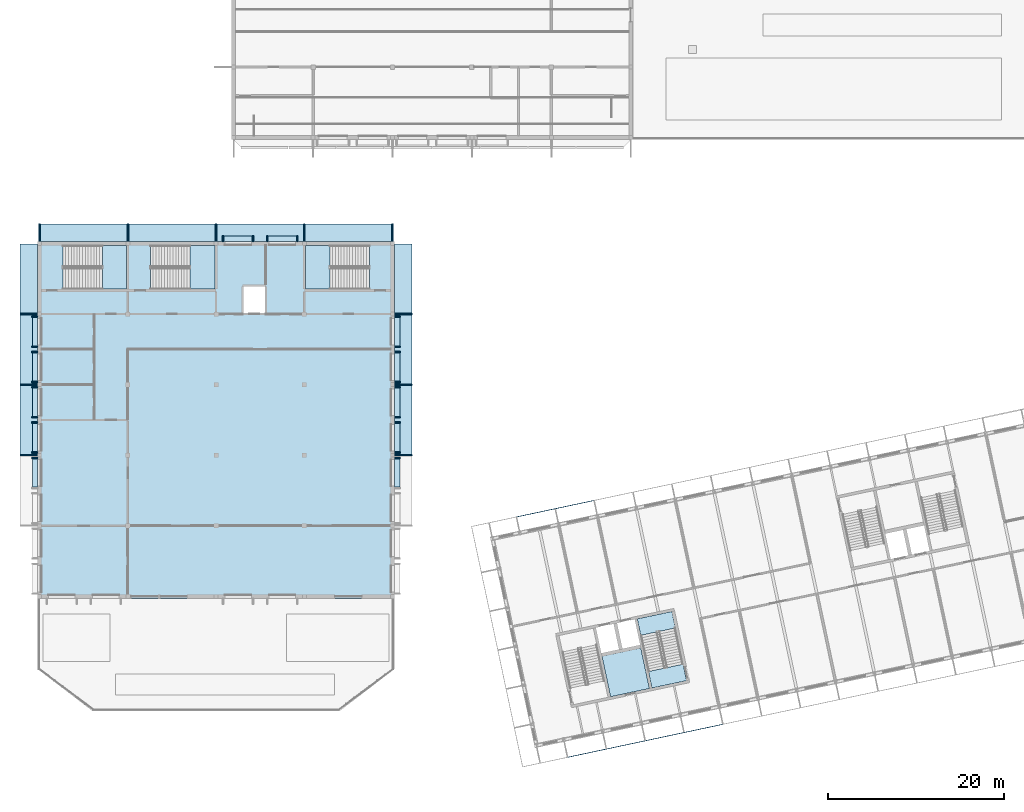
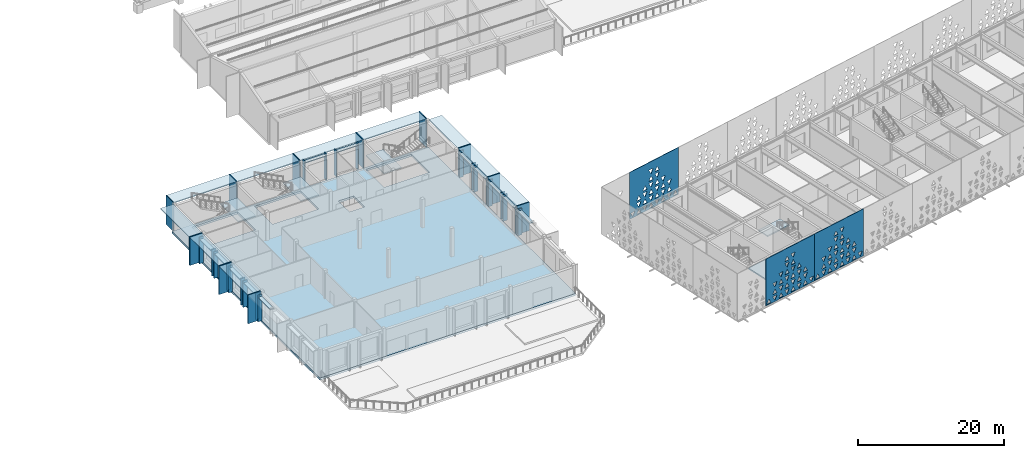
# One storey, part 103 of 196: 58 plates, 7 slabs, 4 elements without a shape of their own.
"""IFC4 building model written with IfcOpenShell, lengths in metres."""

from ifc_helpers import new_model, si_unit, direction, frame, origin, origin_2d, place, context, subcontext, project, spatial, polyline, rectangle, outline, extrude, material, layer, layer_set, type_object, element, aggregate, save


model = new_model("IFC4")

# Units and contexts
model_context = context("Model", 3, precision=1e-05, world=origin(), true_north=direction((0.0, 1.0)))
body_context = subcontext(model_context, "Body", "Model", "MODEL_VIEW")
ifc_project = project(units=[si_unit("LENGTHUNIT", "METRE"), si_unit("AREAUNIT", "SQUARE_METRE"), si_unit("VOLUMEUNIT", "CUBIC_METRE"), si_unit("PLANEANGLEUNIT", "RADIAN"), si_unit("MASSUNIT", "GRAM", prefix="KILO")], contexts=[model_context])

# Site, building, storey
site_placement = place(None, origin())
site = spatial("IfcSite", under=ifc_project, at=site_placement, CompositionType="ELEMENT")
building_placement = place(site_placement, origin())
building = spatial("IfcBuilding", under=site, at=building_placement, Name="Okhra Congress Centre", CompositionType="ELEMENT")
storey_placement = place(building_placement, frame((0.0, 0.0, 12.0)))
storey = spatial("IfcBuildingStorey", under=building, at=storey_placement, Name="L02", CompositionType="ELEMENT", Elevation=12.0)

# Plates
ifc_material_1 = material(Name="Anodised aluminium extrusion", Category="aluminium")
plate_type_1 = type_object("IfcPlateType", Name="Aluminium fin 150x650", PredefinedType="SHEET", material=ifc_material_1)
for number, where, z_axis, x_axis, name in (
    (1, (26.800048828125, 84.550048828125, 0.0), (0.0, 0.0, 1.0), (-1.0, 0.0, 0.0), "RS.PLT.L02.9"),
    (2, (30.199951171875, 84.550048828125, 0.0), (0.0, 0.0, 1.0), (-1.0, 0.0, 0.0), "RS.PLT.L02.10"),
    (3, (31.800048828125, 84.550048828125, 0.0), (0.0, 0.0, 1.0), (-1.0, 0.0, 0.0), "RS.PLT.L02.11"),
    (4, (35.199951171875, 84.550048828125, 0.0), (0.0, 0.0, 1.0), (-1.0, 0.0, 0.0), "RS.PLT.L02.12"),
    (5, (5.449951171875, 59.699951171875, 0.0), (0.0, 0.0, 1.0), (0.0, -1.0, 0.0), "RS.PLT.L02.20"),
    (6, (5.449951171875, 60.300048828125, 0.0), (0.0, 0.0, 1.0), (0.0, -1.0, 0.0), "RS.PLT.L02.21"),
    (7, (5.449951171875, 63.699951171875, 0.0), (0.0, 0.0, 1.0), (0.0, -1.0, 0.0), "RS.PLT.L02.22"),
    (8, (5.449951171875, 64.300048828125, 0.0), (0.0, 0.0, 1.0), (0.0, -1.0, 0.0), "RS.PLT.L02.23"),
    (9, (5.449951171875, 67.699951171875, 0.0), (0.0, 0.0, 1.0), (0.0, -1.0, 0.0), "RS.PLT.L02.24"),
    (10, (5.449951171875, 68.300048828125, 0.0), (0.0, 0.0, 1.0), (0.0, -1.0, 0.0), "RS.PLT.L02.25"),
    (11, (5.449951171875, 71.699951171875, 0.0), (0.0, 0.0, 1.0), (0.0, -1.0, 0.0), "RS.PLT.L02.26"),
    (12, (5.449951171875, 72.300048828125, 0.0), (0.0, 0.0, 1.0), (0.0, -1.0, 0.0), "RS.PLT.L02.27"),
    (13, (5.449951171875, 75.699951171875, 0.0), (0.0, 0.0, 1.0), (0.0, -1.0, 0.0), "RS.PLT.L02.28"),
    (14, (46.550048828125, 59.699951171875, 0.0), (0.0, 0.0, 1.0), (0.0, 1.0, 0.0), "RS.PLT.L02.36"),
    (15, (46.550048828125, 60.300048828125, 0.0), (0.0, 0.0, 1.0), (0.0, 1.0, 0.0), "RS.PLT.L02.37"),
    (16, (46.550048828125, 63.699951171875, 0.0), (0.0, 0.0, 1.0), (0.0, 1.0, 0.0), "RS.PLT.L02.38"),
    (17, (46.550048828125, 64.300048828125, 0.0), (0.0, 0.0, 1.0), (0.0, 1.0, 0.0), "RS.PLT.L02.39"),
    (18, (46.550048828125, 67.699951171875, 0.0), (0.0, 0.0, 1.0), (0.0, 1.0, 0.0), "RS.PLT.L02.40"),
    (19, (46.550048828125, 68.300048828125, 0.0), (0.0, 0.0, 1.0), (0.0, 1.0, 0.0), "RS.PLT.L02.41"),
    (20, (46.550048828125, 71.699951171875, 0.0), (0.0, 0.0, 1.0), (0.0, 1.0, 0.0), "RS.PLT.L02.42"),
    (21, (46.550048828125, 72.300048828125, 0.0), (0.0, 0.0, 1.0), (0.0, 1.0, 0.0), "RS.PLT.L02.43"),
    (22, (46.550048828125, 75.699951171875, 0.0), (0.0, 0.0, 1.0), (0.0, 1.0, 0.0), "RS.PLT.L02.44"),
):
    element("IfcPlate", number, at=place(storey_placement, frame(where, z_axis=z_axis, x_axis=x_axis)), inside=storey, type_object=plate_type_1, Name=name, PredefinedType="SHEET", context=body_context, shape_type="SweptSolid", body=[
        extrude(rectangle(XDim=0.14990234375, YDim=0.64990234375, at=origin_2d()), origin(), (0.0, 0.0, 1.0), 4.429931640625),
    ])
ifc_material_2 = material(Name="Precast concrete C40/50", Category="concrete")
plate_type_2 = type_object("IfcPlateType", Name="Precast concrete blade 150x2000 C40/50", PredefinedType="SHEET", material=ifc_material_2)
for number, where, z_axis, x_axis, name in (
    (23, (6.0, 85.22509765625, 0.0), (0.0, 0.0, 1.0), (-1.0, 0.0, 0.0), "RS.PLT.L02.blade-14"),
    (24, (16.0, 85.22509765625, 0.0), (0.0, 0.0, 1.0), (-1.0, 0.0, 0.0), "RS.PLT.L02.blade-15"),
    (25, (26.0, 85.22509765625, 0.0), (0.0, 0.0, 1.0), (-1.0, 0.0, 0.0), "RS.PLT.L02.blade-16"),
    (26, (36.0, 85.22509765625, 0.0), (0.0, 0.0, 1.0), (-1.0, 0.0, 0.0), "RS.PLT.L02.blade-17"),
    (27, (46.0, 85.22509765625, 0.0), (0.0, 0.0, 1.0), (-1.0, 0.0, 0.0), "RS.PLT.L02.blade-18"),
    (28, (4.77490234375, 60.0, 0.0), (0.0, 0.0, 1.0), (0.0, -1.0, 0.0), "RS.PLT.L02.blade-20"),
    (29, (4.77490234375, 68.0, 0.0), (0.0, 0.0, 1.0), (0.0, -1.0, 0.0), "RS.PLT.L02.blade-21"),
    (30, (4.77490234375, 76.0, 0.0), (0.0, 0.0, 1.0), (0.0, -1.0, 0.0), "RS.PLT.L02.blade-22"),
    (31, (47.22509765625, 60.0, 0.0), (0.0, 0.0, 1.0), (0.0, 1.0, 0.0), "RS.PLT.L02.blade-24"),
    (32, (47.22509765625, 68.0, 0.0), (0.0, 0.0, 1.0), (0.0, 1.0, 0.0), "RS.PLT.L02.blade-25"),
    (33, (47.22509765625, 76.0, 0.0), (0.0, 0.0, 1.0), (0.0, 1.0, 0.0), "RS.PLT.L02.blade-26"),
):
    element("IfcPlate", number, at=place(storey_placement, frame(where, z_axis=z_axis, x_axis=x_axis)), inside=storey, type_object=plate_type_2, Name=name, PredefinedType="SHEET", context=body_context, shape_type="SweptSolid", body=[
        extrude(rectangle(XDim=0.14990234375, YDim=2.0, at=origin_2d()), origin(), (0.0, 0.0, 1.0), 4.800048828125),
    ])
ifc_layer_1 = layer(ifc_material_2, 0.14990234375)
ifc_layer_set_1 = layer_set([ifc_layer_1], Name="Precast concrete shelf 150x2000 C40/50")
plate_type_3 = type_object("IfcPlateType", Name="Precast concrete shelf 150x2000 C40/50", PredefinedType="SHEET", material=ifc_layer_set_1)
for number, where, z_axis, x_axis, name in (
    (34, (11.0, 85.22509765625, 4.60009765625), (0.0, 0.0, 1.0), (-1.0, 0.0, 0.0), "RS.PLT.L02.shelf-13"),
    (35, (21.0, 85.22509765625, 4.60009765625), (0.0, 0.0, 1.0), (-1.0, 0.0, 0.0), "RS.PLT.L02.shelf-14"),
    (36, (31.0, 85.22509765625, 4.60009765625), (0.0, 0.0, 1.0), (-1.0, 0.0, 0.0), "RS.PLT.L02.shelf-15"),
    (37, (41.0, 85.22509765625, 4.60009765625), (0.0, 0.0, 1.0), (-1.0, 0.0, 0.0), "RS.PLT.L02.shelf-16"),
):
    element("IfcPlate", number, at=place(storey_placement, frame(where, z_axis=z_axis, x_axis=x_axis)), inside=storey, type_object=plate_type_3, Name=name, PredefinedType="SHEET", context=body_context, shape_type="SweptSolid", body=[
        extrude(rectangle(XDim=9.840087890625, YDim=2.0, at=origin_2d()), origin(), (0.0, 0.0, 1.0), 0.14990234375),
    ])
for number, where, z_axis, x_axis, name in (
    (38, (4.77490234375, 64.0, 4.60009765625), (0.0, 0.0, 1.0), (0.0, -1.0, 0.0), "RS.PLT.L02.shelf-18"),
    (39, (4.77490234375, 72.0, 4.60009765625), (0.0, 0.0, 1.0), (0.0, -1.0, 0.0), "RS.PLT.L02.shelf-19"),
    (40, (4.77490234375, 80.0, 4.60009765625), (0.0, 0.0, 1.0), (0.0, -1.0, 0.0), "RS.PLT.L02.shelf-20"),
    (41, (47.22509765625, 64.0, 4.60009765625), (0.0, 0.0, 1.0), (0.0, 1.0, 0.0), "RS.PLT.L02.shelf-22"),
    (42, (47.22509765625, 72.0, 4.60009765625), (0.0, 0.0, 1.0), (0.0, 1.0, 0.0), "RS.PLT.L02.shelf-23"),
    (43, (47.22509765625, 80.0, 4.60009765625), (0.0, 0.0, 1.0), (0.0, 1.0, 0.0), "RS.PLT.L02.shelf-24"),
):
    element("IfcPlate", number, at=place(storey_placement, frame(where, z_axis=z_axis, x_axis=x_axis)), inside=storey, type_object=plate_type_3, Name=name, PredefinedType="SHEET", context=body_context, shape_type="SweptSolid", body=[
        extrude(rectangle(XDim=7.840087890625, YDim=2.0, at=origin_2d()), origin(), (0.0, 0.0, 1.0), 0.14990234375),
    ])

# Slabs
ifc_material_3 = material(Name="Concrete C30/37", Category="concrete")
ifc_layer_2 = layer(ifc_material_3, 0.199951171875)
ifc_layer_set_2 = layer_set([ifc_layer_2], Name="RC floor slab 200 REI 120 C30/37")
slab_type_1 = type_object("IfcSlabType", Name="RC floor slab 200 REI 120 C30/37", PredefinedType="FLOOR", material=ifc_layer_set_2)
slab_1_placement = place(storey_placement, frame((0.0, 0.0, -0.199951171875)))
element("IfcSlab", 44, at=slab_1_placement, inside=storey, type_object=slab_type_1, Name="Stair floor landing 1B L02", PredefinedType="FLOOR", context=body_context, shape_type="SweptSolid", body=[
    extrude(outline(polyline([(79.32666015625, 34.454345703125), (75.404296875, 33.62060546875), (75.00732421875, 35.489013671875), (78.9296875, 36.322509765625), (79.32666015625, 34.454345703125)])), origin(), (0.0, 0.0, 1.0), 0.199951171875),
])
slab_2_placement = place(storey_placement, frame((0.0, 0.0, -0.199951171875)))
element("IfcSlab", 45, at=slab_2_placement, inside=storey, type_object=slab_type_1, Name="Riser room floor 1 L02", PredefinedType="FLOOR", context=body_context, shape_type="SweptSolid", body=[
    extrude(outline(polyline([(70.713134765625, 32.628662109375), (75.11474609375, 33.564208984375), (74.1376953125, 38.161376953125), (69.73583984375, 37.225830078125), (70.713134765625, 32.628662109375)])), origin(), (0.0, 0.0, 1.0), 0.199951171875),
])
ifc_material_4 = material(Name="Concrete C35/45", Category="concrete")
ifc_layer_3 = layer(ifc_material_4, 0.35009765625)
ifc_layer_set_3 = layer_set([ifc_layer_3], Name="RC floor slab 350 REI 120 C35/45")
slab_type_2 = type_object("IfcSlabType", Name="RC floor slab 350 REI 120 C35/45", PredefinedType="FLOOR", material=ifc_layer_set_3)
slab_3_placement = place(storey_placement, frame((0.0, 0.0, -0.35009765625)))
element("IfcSlab", 46, at=slab_3_placement, inside=storey, type_object=slab_type_2, Name="Floor slab L02", PredefinedType="FLOOR", context=body_context, shape_type="SweptSolid", body=[
    extrude(outline(polyline([(46.22509765625, 43.77490234375), (46.22509765625, 84.22509765625), (5.77490234375, 84.22509765625), (5.77490234375, 43.77490234375), (46.22509765625, 43.77490234375)]), holes=[polyline([(8.6279296875, 78.824951171875), (15.85009765625, 78.824951171875), (15.85009765625, 83.77490234375), (8.6279296875, 83.77490234375), (8.6279296875, 78.824951171875)]), polyline([(18.552978515625, 78.824951171875), (25.85009765625, 78.824951171875), (25.85009765625, 83.77490234375), (18.552978515625, 83.77490234375), (18.552978515625, 78.824951171875)]), polyline([(43.3720703125, 83.77490234375), (36.14990234375, 83.77490234375), (36.14990234375, 78.824951171875), (43.3720703125, 78.824951171875), (43.3720703125, 83.77490234375)]), polyline([(29.125, 76.125), (31.52490234375, 76.125), (31.52490234375, 79.125), (29.125, 79.125), (29.125, 76.125)])]), origin(), (0.0, 0.0, 1.0), 0.35009765625),
])

# Stair, slab
stair_type_1 = type_object("IfcStairType", Name="Escape stair 2400 wide, 30 risers of 160.0", PredefinedType="HALF_TURN_STAIR", material=ifc_material_3)
stair_1_placement = place(storey_placement, origin())
stair_1 = element("IfcStair", 47, at=stair_1_placement, inside=storey, type_object=stair_type_1, Name="L02 Stair R1", PredefinedType="HALF_TURN_STAIR")
ifc_layer_4 = layer(ifc_material_3, 0.199951171875)
ifc_layer_set_4 = layer_set([ifc_layer_4], Name="RC stair landing 200 C30/37")
slab_type_3 = type_object("IfcSlabType", Name="RC stair landing 200 C30/37", PredefinedType="LANDING", material=ifc_layer_set_4)
slab_4_placement = place(storey_placement, frame((0.0, 0.0, 2.199951171875)))
slab_4 = element("IfcSlab", 48, at=slab_4_placement, type_object=slab_type_3, Name="R1 landing 1", PredefinedType="LANDING", context=body_context, shape_type="SweptSolid", body=[
    extrude(outline(polyline([(13.10498046875, 78.824951171875), (15.85009765625, 78.824951171875), (15.85009765625, 83.77490234375), (13.10498046875, 83.77490234375), (13.10498046875, 78.824951171875)])), origin(), (0.0, 0.0, 1.0), 0.199951171875),
])
aggregate(stair_1, [slab_4])

stair_2_placement = place(storey_placement, origin())
stair_2 = element("IfcStair", 49, at=stair_2_placement, inside=storey, type_object=stair_type_1, Name="L02 Stair R3", PredefinedType="HALF_TURN_STAIR")
slab_5_placement = place(storey_placement, frame((0.0, 0.0, 2.199951171875)))
slab_5 = element("IfcSlab", 50, at=slab_5_placement, type_object=slab_type_3, Name="R3 landing 1", PredefinedType="LANDING", context=body_context, shape_type="SweptSolid", body=[
    extrude(outline(polyline([(23.030029296875, 78.824951171875), (25.85009765625, 78.824951171875), (25.85009765625, 83.77490234375), (23.030029296875, 83.77490234375), (23.030029296875, 78.824951171875)])), origin(), (0.0, 0.0, 1.0), 0.199951171875),
])
aggregate(stair_2, [slab_5])

stair_3_placement = place(storey_placement, origin())
stair_3 = element("IfcStair", 51, at=stair_3_placement, inside=storey, type_object=stair_type_1, Name="L02 Stair R2", PredefinedType="HALF_TURN_STAIR")
slab_6_placement = place(storey_placement, frame((0.0, 0.0, 2.199951171875)))
slab_6 = element("IfcSlab", 52, at=slab_6_placement, type_object=slab_type_3, Name="R2 landing 1", PredefinedType="LANDING", context=body_context, shape_type="SweptSolid", body=[
    extrude(outline(polyline([(38.89501953125, 83.77490234375), (36.14990234375, 83.77490234375), (36.14990234375, 78.824951171875), (38.89501953125, 78.824951171875), (38.89501953125, 83.77490234375)])), origin(), (0.0, 0.0, 1.0), 0.199951171875),
])
aggregate(stair_3, [slab_6])

stair_type_2 = type_object("IfcStairType", Name="Escape stair 1900 wide, 30 risers of 160.0", PredefinedType="HALF_TURN_STAIR", material=ifc_material_3)
stair_4_placement = place(storey_placement, origin())
stair_4 = element("IfcStair", 53, at=stair_4_placement, inside=storey, type_object=stair_type_2, Name="L02 Escape stair 1B", PredefinedType="HALF_TURN_STAIR")
slab_7_placement = place(storey_placement, frame((0.0, 0.0, 2.199951171875)))
slab_7 = element("IfcSlab", 54, at=slab_7_placement, type_object=slab_type_3, Name="BS1B landing 1", PredefinedType="LANDING", context=body_context, shape_type="SweptSolid", body=[
    extrude(outline(polyline([(78.058349609375, 40.421142578125), (74.135986328125, 39.58740234375), (73.739013671875, 41.45556640625), (77.661376953125, 42.289306640625), (78.058349609375, 40.421142578125)])), origin(), (0.0, 0.0, 1.0), 0.199951171875),
])
aggregate(stair_4, [slab_7])

# Plates
ifc_material_5 = material(Name="Fired clay terracotta rainscreen panel, deep oxide-red glaze, non-combustible", Category="masonry")
ifc_layer_5 = layer(ifc_material_5, 0.080078125)
ifc_layer_set_5 = layer_set([ifc_layer_5], Name="Terracotta screen panel 8980x7840")
plate_type_4 = type_object("IfcPlateType", Name="Terracotta screen panel 8980x7840", PredefinedType="SHEET", material=ifc_layer_set_5)
plate_1_placement = place(storey_placement, frame((65.843505859375, 25.76611328125, 1.949951171875), z_axis=(0.0, 0.0, 1.0), x_axis=(0.978144061878, 0.207928339131, 0.0)))
element("IfcPlate", 55, at=plate_1_placement, inside=storey, type_object=plate_type_4, Name="Screen panel S2 Tier 2", PredefinedType="SHEET", context=body_context, shape_type="SweptSolid", body=[
    extrude(outline(polyline([(0.0, 0.0), (8.97998046875, 0.0), (8.97998046875, 7.840087890625), (0.0, 7.840087890625), (0.0, 0.0)]), holes=[polyline([(0.176513671875, 0.183837890625), (0.943603515625, 0.183837890625), (0.56005859375, 0.93603515625), (0.176513671875, 0.183837890625)]), polyline([(1.29638671875, 0.93603515625), (1.679931640625, 0.183837890625), (2.0634765625, 0.93603515625), (1.29638671875, 0.93603515625)]), polyline([(2.41650390625, 0.183837890625), (3.18359375, 0.183837890625), (2.800048828125, 0.93603515625), (2.41650390625, 0.183837890625)]), polyline([(3.536376953125, 0.93603515625), (3.919921875, 0.183837890625), (4.3037109375, 0.93603515625), (3.536376953125, 0.93603515625)]), polyline([(4.656494140625, 0.183837890625), (5.423583984375, 0.183837890625), (5.0400390625, 0.93603515625), (4.656494140625, 0.183837890625)]), polyline([(5.7763671875, 0.93603515625), (6.159912109375, 0.183837890625), (6.543701171875, 0.93603515625), (5.7763671875, 0.93603515625)]), polyline([(6.896484375, 0.183837890625), (7.66357421875, 0.183837890625), (7.280029296875, 0.93603515625), (6.896484375, 0.183837890625)]), polyline([(8.016357421875, 0.93603515625), (8.39990234375, 0.183837890625), (8.78369140625, 0.93603515625), (8.016357421875, 0.93603515625)]), polyline([(1.29638671875, 1.303955078125), (2.0634765625, 1.303955078125), (1.679931640625, 2.05615234375), (1.29638671875, 1.303955078125)]), polyline([(2.41650390625, 2.05615234375), (2.800048828125, 1.303955078125), (3.18359375, 2.05615234375), (2.41650390625, 2.05615234375)]), polyline([(3.536376953125, 1.303955078125), (4.3037109375, 1.303955078125), (3.919921875, 2.05615234375), (3.536376953125, 1.303955078125)]), polyline([(4.656494140625, 2.05615234375), (5.0400390625, 1.303955078125), (5.423583984375, 2.05615234375), (4.656494140625, 2.05615234375)]), polyline([(5.7763671875, 1.303955078125), (6.543701171875, 1.303955078125), (6.159912109375, 2.05615234375), (5.7763671875, 1.303955078125)]), polyline([(6.896484375, 2.05615234375), (7.280029296875, 1.303955078125), (7.66357421875, 2.05615234375), (6.896484375, 2.05615234375)]), polyline([(1.29638671875, 3.176025390625), (1.679931640625, 2.423828125), (2.0634765625, 3.176025390625), (1.29638671875, 3.176025390625)]), polyline([(2.41650390625, 2.423828125), (3.18359375, 2.423828125), (2.800048828125, 3.176025390625), (2.41650390625, 2.423828125)]), polyline([(3.536376953125, 3.176025390625), (3.919921875, 2.423828125), (4.3037109375, 3.176025390625), (3.536376953125, 3.176025390625)]), polyline([(4.656494140625, 2.423828125), (5.423583984375, 2.423828125), (5.0400390625, 3.176025390625), (4.656494140625, 2.423828125)]), polyline([(5.7763671875, 3.176025390625), (6.159912109375, 2.423828125), (6.543701171875, 3.176025390625), (5.7763671875, 3.176025390625)]), polyline([(6.896484375, 2.423828125), (7.66357421875, 2.423828125), (7.280029296875, 3.176025390625), (6.896484375, 2.423828125)]), polyline([(2.41650390625, 4.296142578125), (2.800048828125, 3.5439453125), (3.18359375, 4.296142578125), (2.41650390625, 4.296142578125)]), polyline([(3.536376953125, 3.5439453125), (4.3037109375, 3.5439453125), (3.919921875, 4.296142578125), (3.536376953125, 3.5439453125)]), polyline([(4.656494140625, 4.296142578125), (5.0400390625, 3.5439453125), (5.423583984375, 4.296142578125), (4.656494140625, 4.296142578125)]), polyline([(5.7763671875, 3.5439453125), (6.543701171875, 3.5439453125), (6.159912109375, 4.296142578125), (5.7763671875, 3.5439453125)]), polyline([(3.536376953125, 5.416015625), (3.919921875, 4.663818359375), (4.3037109375, 5.416015625), (3.536376953125, 5.416015625)]), polyline([(4.656494140625, 4.663818359375), (5.423583984375, 4.663818359375), (5.0400390625, 5.416015625), (4.656494140625, 4.663818359375)]), polyline([(3.536376953125, 5.783935546875), (4.3037109375, 5.783935546875), (3.919921875, 6.5361328125), (3.536376953125, 5.783935546875)]), polyline([(4.656494140625, 6.5361328125), (5.0400390625, 5.783935546875), (5.423583984375, 6.5361328125), (4.656494140625, 6.5361328125)])]), frame((0.0, 0.0400390625, 0.0), z_axis=(0.0, -1.0, 0.0), x_axis=(1.0, 0.0, 0.0)), (0.0, 0.0, 1.0), 0.080078125),
])
plate_2_placement = place(storey_placement, frame((74.646728515625, 27.637451171875, 1.949951171875), z_axis=(0.0, 0.0, 1.0), x_axis=(0.978150766104, 0.207896798366, 0.0)))
element("IfcPlate", 56, at=plate_2_placement, inside=storey, type_object=plate_type_4, Name="Screen panel S3 Tier 2", PredefinedType="SHEET", context=body_context, shape_type="SweptSolid", body=[
    extrude(outline(polyline([(0.0, 0.0), (8.980224609375, 0.0), (8.980224609375, 7.840087890625), (0.0, 7.840087890625), (0.0, 0.0)]), holes=[polyline([(0.176513671875, 0.183837890625), (0.943603515625, 0.183837890625), (0.56005859375, 0.93603515625), (0.176513671875, 0.183837890625)]), polyline([(1.29638671875, 0.93603515625), (1.679931640625, 0.183837890625), (2.0634765625, 0.93603515625), (1.29638671875, 0.93603515625)]), polyline([(2.41650390625, 0.183837890625), (3.18359375, 0.183837890625), (2.800048828125, 0.93603515625), (2.41650390625, 0.183837890625)]), polyline([(3.536376953125, 0.93603515625), (3.919921875, 0.183837890625), (4.3037109375, 0.93603515625), (3.536376953125, 0.93603515625)]), polyline([(4.656494140625, 0.183837890625), (5.423583984375, 0.183837890625), (5.0400390625, 0.93603515625), (4.656494140625, 0.183837890625)]), polyline([(5.7763671875, 0.93603515625), (6.159912109375, 0.183837890625), (6.543701171875, 0.93603515625), (5.7763671875, 0.93603515625)]), polyline([(6.896484375, 0.183837890625), (7.66357421875, 0.183837890625), (7.280029296875, 0.93603515625), (6.896484375, 0.183837890625)]), polyline([(8.016357421875, 0.93603515625), (8.39990234375, 0.183837890625), (8.78369140625, 0.93603515625), (8.016357421875, 0.93603515625)]), polyline([(1.29638671875, 1.303955078125), (2.0634765625, 1.303955078125), (1.679931640625, 2.05615234375), (1.29638671875, 1.303955078125)]), polyline([(2.41650390625, 2.05615234375), (2.800048828125, 1.303955078125), (3.18359375, 2.05615234375), (2.41650390625, 2.05615234375)]), polyline([(3.536376953125, 1.303955078125), (4.3037109375, 1.303955078125), (3.919921875, 2.05615234375), (3.536376953125, 1.303955078125)]), polyline([(4.656494140625, 2.05615234375), (5.0400390625, 1.303955078125), (5.423583984375, 2.05615234375), (4.656494140625, 2.05615234375)]), polyline([(5.7763671875, 1.303955078125), (6.543701171875, 1.303955078125), (6.159912109375, 2.05615234375), (5.7763671875, 1.303955078125)]), polyline([(6.896484375, 2.05615234375), (7.280029296875, 1.303955078125), (7.66357421875, 2.05615234375), (6.896484375, 2.05615234375)]), polyline([(1.29638671875, 3.176025390625), (1.679931640625, 2.423828125), (2.0634765625, 3.176025390625), (1.29638671875, 3.176025390625)]), polyline([(2.41650390625, 2.423828125), (3.18359375, 2.423828125), (2.800048828125, 3.176025390625), (2.41650390625, 2.423828125)]), polyline([(3.536376953125, 3.176025390625), (3.919921875, 2.423828125), (4.3037109375, 3.176025390625), (3.536376953125, 3.176025390625)]), polyline([(4.656494140625, 2.423828125), (5.423583984375, 2.423828125), (5.0400390625, 3.176025390625), (4.656494140625, 2.423828125)]), polyline([(5.7763671875, 3.176025390625), (6.159912109375, 2.423828125), (6.543701171875, 3.176025390625), (5.7763671875, 3.176025390625)]), polyline([(6.896484375, 2.423828125), (7.66357421875, 2.423828125), (7.280029296875, 3.176025390625), (6.896484375, 2.423828125)]), polyline([(2.41650390625, 4.296142578125), (2.800048828125, 3.5439453125), (3.18359375, 4.296142578125), (2.41650390625, 4.296142578125)]), polyline([(3.536376953125, 3.5439453125), (4.3037109375, 3.5439453125), (3.919921875, 4.296142578125), (3.536376953125, 3.5439453125)]), polyline([(4.656494140625, 4.296142578125), (5.0400390625, 3.5439453125), (5.423583984375, 4.296142578125), (4.656494140625, 4.296142578125)]), polyline([(5.7763671875, 3.5439453125), (6.543701171875, 3.5439453125), (6.159912109375, 4.296142578125), (5.7763671875, 3.5439453125)]), polyline([(3.536376953125, 5.416015625), (3.919921875, 4.663818359375), (4.3037109375, 5.416015625), (3.536376953125, 5.416015625)]), polyline([(4.656494140625, 4.663818359375), (5.423583984375, 4.663818359375), (5.0400390625, 5.416015625), (4.656494140625, 4.663818359375)]), polyline([(3.536376953125, 5.783935546875), (4.3037109375, 5.783935546875), (3.919921875, 6.5361328125), (3.536376953125, 5.783935546875)]), polyline([(4.656494140625, 6.5361328125), (5.0400390625, 5.783935546875), (5.423583984375, 6.5361328125), (4.656494140625, 6.5361328125)])]), frame((0.0, 0.0400390625, 0.0), z_axis=(0.0, -1.0, 0.0), x_axis=(1.0, 0.0, 0.0)), (0.0, 0.0, 1.0), 0.080078125),
])
plate_3_placement = place(storey_placement, frame((68.8369140625, 54.87451171875, 1.949951171875), z_axis=(0.0, 0.0, 1.0), x_axis=(-0.978149591018, -0.207902327047, 0.0)))
element("IfcPlate", 57, at=plate_3_placement, inside=storey, type_object=plate_type_4, Name="Screen panel N18 Tier 2", PredefinedType="SHEET", context=body_context, shape_type="SweptSolid", body=[
    extrude(outline(polyline([(0.0, 0.0), (8.97998046875, 0.0), (8.97998046875, 7.840087890625), (0.0, 7.840087890625), (0.0, 0.0)]), holes=[polyline([(0.176513671875, 0.183837890625), (0.943603515625, 0.183837890625), (0.56005859375, 0.93603515625), (0.176513671875, 0.183837890625)]), polyline([(1.29638671875, 0.93603515625), (1.679931640625, 0.183837890625), (2.0634765625, 0.93603515625), (1.29638671875, 0.93603515625)]), polyline([(2.41650390625, 0.183837890625), (3.18359375, 0.183837890625), (2.800048828125, 0.93603515625), (2.41650390625, 0.183837890625)]), polyline([(3.536376953125, 0.93603515625), (3.919921875, 0.183837890625), (4.3037109375, 0.93603515625), (3.536376953125, 0.93603515625)]), polyline([(4.656494140625, 0.183837890625), (5.423583984375, 0.183837890625), (5.0400390625, 0.93603515625), (4.656494140625, 0.183837890625)]), polyline([(5.7763671875, 0.93603515625), (6.159912109375, 0.183837890625), (6.543701171875, 0.93603515625), (5.7763671875, 0.93603515625)]), polyline([(6.896484375, 0.183837890625), (7.66357421875, 0.183837890625), (7.280029296875, 0.93603515625), (6.896484375, 0.183837890625)]), polyline([(8.016357421875, 0.93603515625), (8.39990234375, 0.183837890625), (8.78369140625, 0.93603515625), (8.016357421875, 0.93603515625)]), polyline([(1.29638671875, 1.303955078125), (2.0634765625, 1.303955078125), (1.679931640625, 2.05615234375), (1.29638671875, 1.303955078125)]), polyline([(2.41650390625, 2.05615234375), (2.800048828125, 1.303955078125), (3.18359375, 2.05615234375), (2.41650390625, 2.05615234375)]), polyline([(3.536376953125, 1.303955078125), (4.3037109375, 1.303955078125), (3.919921875, 2.05615234375), (3.536376953125, 1.303955078125)]), polyline([(4.656494140625, 2.05615234375), (5.0400390625, 1.303955078125), (5.423583984375, 2.05615234375), (4.656494140625, 2.05615234375)]), polyline([(5.7763671875, 1.303955078125), (6.543701171875, 1.303955078125), (6.159912109375, 2.05615234375), (5.7763671875, 1.303955078125)]), polyline([(6.896484375, 2.05615234375), (7.280029296875, 1.303955078125), (7.66357421875, 2.05615234375), (6.896484375, 2.05615234375)]), polyline([(1.29638671875, 3.176025390625), (1.679931640625, 2.423828125), (2.0634765625, 3.176025390625), (1.29638671875, 3.176025390625)]), polyline([(2.41650390625, 2.423828125), (3.18359375, 2.423828125), (2.800048828125, 3.176025390625), (2.41650390625, 2.423828125)]), polyline([(3.536376953125, 3.176025390625), (3.919921875, 2.423828125), (4.3037109375, 3.176025390625), (3.536376953125, 3.176025390625)]), polyline([(4.656494140625, 2.423828125), (5.423583984375, 2.423828125), (5.0400390625, 3.176025390625), (4.656494140625, 2.423828125)]), polyline([(5.7763671875, 3.176025390625), (6.159912109375, 2.423828125), (6.543701171875, 3.176025390625), (5.7763671875, 3.176025390625)]), polyline([(6.896484375, 2.423828125), (7.66357421875, 2.423828125), (7.280029296875, 3.176025390625), (6.896484375, 2.423828125)]), polyline([(2.41650390625, 4.296142578125), (2.800048828125, 3.5439453125), (3.18359375, 4.296142578125), (2.41650390625, 4.296142578125)]), polyline([(3.536376953125, 3.5439453125), (4.3037109375, 3.5439453125), (3.919921875, 4.296142578125), (3.536376953125, 3.5439453125)]), polyline([(4.656494140625, 4.296142578125), (5.0400390625, 3.5439453125), (5.423583984375, 4.296142578125), (4.656494140625, 4.296142578125)]), polyline([(5.7763671875, 3.5439453125), (6.543701171875, 3.5439453125), (6.159912109375, 4.296142578125), (5.7763671875, 3.5439453125)]), polyline([(3.536376953125, 5.416015625), (3.919921875, 4.663818359375), (4.3037109375, 5.416015625), (3.536376953125, 5.416015625)]), polyline([(4.656494140625, 4.663818359375), (5.423583984375, 4.663818359375), (5.0400390625, 5.416015625), (4.656494140625, 4.663818359375)]), polyline([(3.536376953125, 5.783935546875), (4.3037109375, 5.783935546875), (3.919921875, 6.5361328125), (3.536376953125, 5.783935546875)]), polyline([(4.656494140625, 6.5361328125), (5.0400390625, 5.783935546875), (5.423583984375, 6.5361328125), (4.656494140625, 6.5361328125)])]), frame((0.0, 0.0400390625, 0.0), z_axis=(0.0, -1.0, 0.0), x_axis=(1.0, 0.0, 0.0)), (0.0, 0.0, 1.0), 0.080078125),
])
ifc_material_6 = material(Name="Weathering steel S355J0WP", Category="steel")
ifc_layer_6 = layer(ifc_material_6, 0.1201171875)
ifc_layer_set_6 = layer_set([ifc_layer_6], Name="Weathering steel window hood 600x120")
plate_type_5 = type_object("IfcPlateType", Name="Weathering steel window hood 600x120", PredefinedType="SHEET", material=ifc_layer_set_6)
for number, where, z_axis, x_axis, name in (
    (58, (28.5, 84.52490234375, 3.989990234375), (0.0, 0.0, 1.0), (-1.0, 0.0, 0.0), "RS.PLT.L02.hood-20"),
    (59, (33.5, 84.52490234375, 3.989990234375), (0.0, 0.0, 1.0), (-1.0, 0.0, 0.0), "RS.PLT.L02.hood-21"),
    (60, (5.47509765625, 58.0, 3.989990234375), (0.0, 0.0, 1.0), (0.0, -1.0, 0.0), "RS.PLT.L02.hood-25"),
    (61, (5.47509765625, 62.0, 3.989990234375), (0.0, 0.0, 1.0), (0.0, -1.0, 0.0), "RS.PLT.L02.hood-26"),
    (62, (5.47509765625, 66.0, 3.989990234375), (0.0, 0.0, 1.0), (0.0, -1.0, 0.0), "RS.PLT.L02.hood-27"),
    (63, (5.47509765625, 70.0, 3.989990234375), (0.0, 0.0, 1.0), (0.0, -1.0, 0.0), "RS.PLT.L02.hood-28"),
    (64, (5.47509765625, 74.0, 3.989990234375), (0.0, 0.0, 1.0), (0.0, -1.0, 0.0), "RS.PLT.L02.hood-29"),
    (65, (46.52490234375, 58.0, 3.989990234375), (0.0, 0.0, 1.0), (0.0, 1.0, 0.0), "RS.PLT.L02.hood-33"),
    (66, (46.52490234375, 62.0, 3.989990234375), (0.0, 0.0, 1.0), (0.0, 1.0, 0.0), "RS.PLT.L02.hood-34"),
    (67, (46.52490234375, 66.0, 3.989990234375), (0.0, 0.0, 1.0), (0.0, 1.0, 0.0), "RS.PLT.L02.hood-35"),
    (68, (46.52490234375, 70.0, 3.989990234375), (0.0, 0.0, 1.0), (0.0, 1.0, 0.0), "RS.PLT.L02.hood-36"),
    (69, (46.52490234375, 74.0, 3.989990234375), (0.0, 0.0, 1.0), (0.0, 1.0, 0.0), "RS.PLT.L02.hood-37"),
):
    element("IfcPlate", number, at=place(storey_placement, frame(where, z_axis=z_axis, x_axis=x_axis)), inside=storey, type_object=plate_type_5, Name=name, PredefinedType="SHEET", context=body_context, shape_type="SweptSolid", body=[
        extrude(rectangle(XDim=3.239990234375, YDim=0.60009765625, at=origin_2d()), origin(), (0.0, 0.0, 1.0), 0.1201171875),
    ])

save(model, "model.ifc")
